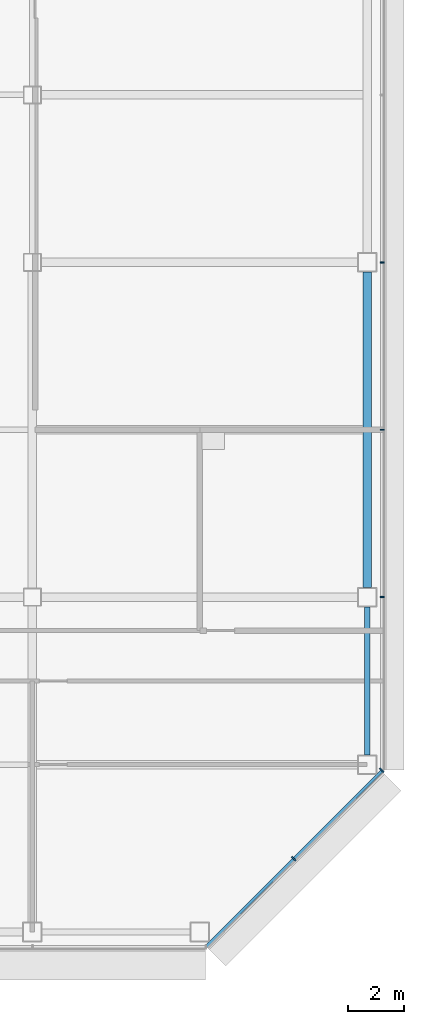
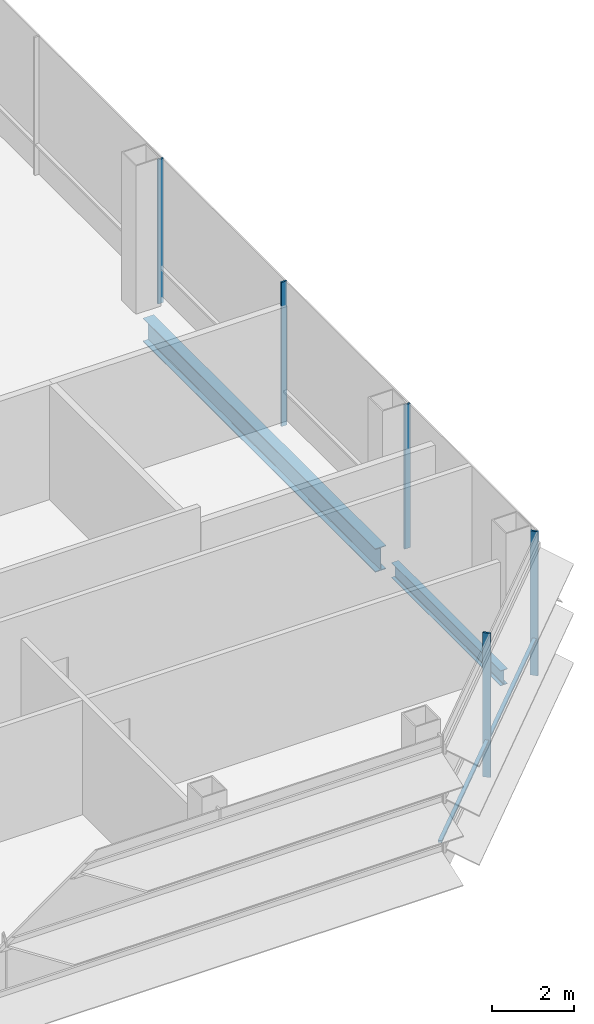
# One storey, part 15 of 26: 6 members, 2 beams, 2 elements without a shape of their own.
"""IFC4 building model written with IfcOpenShell, lengths in metres."""

from ifc_helpers import new_model, si_unit, direction, frame, origin, origin_2d, place, context, subcontext, project, spatial, rectangle, i_section, extrude, material, material_profile, profile_set, type_object, element, aggregate, save


model = new_model("IFC4")

# Units and contexts
model_context = context("Model", 3, precision=1e-05, world=origin(), true_north=direction((0.0, 1.0)))
body_context = subcontext(model_context, "Body", "Model", "MODEL_VIEW")
ifc_project = project(units=[si_unit("LENGTHUNIT", "METRE"), si_unit("AREAUNIT", "SQUARE_METRE"), si_unit("VOLUMEUNIT", "CUBIC_METRE"), si_unit("PLANEANGLEUNIT", "RADIAN"), si_unit("MASSUNIT", "GRAM", prefix="KILO")], contexts=[model_context])

# Site, building, storey
site_placement = place(None, origin())
site = spatial("IfcSite", under=ifc_project, at=site_placement, CompositionType="ELEMENT")
building_placement = place(site_placement, origin())
building = spatial("IfcBuilding", under=site, at=building_placement, Name="Sorahane Residences", CompositionType="ELEMENT")
storey_placement = place(building_placement, frame((0.0, 0.0, 181.60009765625)))
storey = spatial("IfcBuildingStorey", under=building, at=storey_placement, Name="L42", CompositionType="ELEMENT", Elevation=181.60009765625)

# Curtain wall, members
ifc_material_1 = material(Name="Dark low-e glass and black anodised aluminium", Category="aluminium")
curtain_wall_type_1 = type_object("IfcCurtainWallType", Name="Curtain wall CW-1 Typical unitised wall", PredefinedType="NOTDEFINED", material=ifc_material_1)
curtain_wall_1_placement = place(storey_placement, origin())
curtain_wall_1 = element("IfcCurtainWall", 1, at=curtain_wall_1_placement, inside=storey, type_object=curtain_wall_type_1, Name="CW-1 curtain wall L42 E1", PredefinedType="NOTDEFINED")
ifc_material_2 = material(Name="Black anodised aluminium", Category="aluminium")
ifc_material_profile_1 = material_profile(ifc_material_2, rectangle(XDim=0.159912109375, YDim=0.050048828125, at=origin_2d()), Name="Curtain wall mullion CW-1 black anodised aluminium 50x160")
ifc_profile_set_1 = profile_set([ifc_material_profile_1], Name="Black anodised aluminium")
member_type_1 = type_object("IfcMemberType", Name="Curtain wall mullion CW-1 black anodised aluminium 50x160", PredefinedType="MULLION", material=ifc_profile_set_1)
member_1_placement = place(storey_placement, frame((60.5400390625, 12.0, -0.18017578125), z_axis=(0.0, 0.0, 1.0), x_axis=(1.0, 0.0, 0.0)))
member_1 = element("IfcMember", 2, at=member_1_placement, type_object=member_type_1, Name="CW-1 mullion L42 E1.2", PredefinedType="MULLION", context=body_context, shape_type="SweptSolid", body=[
    extrude(rectangle(XDim=0.159912109375, YDim=0.050048828125, at=origin_2d()), origin(), (0.0, 0.0, 1.0), 4.280029296875),
])
member_2_placement = place(storey_placement, frame((60.5400390625, 18.0, -0.18017578125), z_axis=(0.0, 0.0, 1.0), x_axis=(1.0, 0.0, 0.0)))
member_2 = element("IfcMember", 3, at=member_2_placement, type_object=member_type_1, Name="CW-1 mullion L42 E1.3", PredefinedType="MULLION", context=body_context, shape_type="SweptSolid", body=[
    extrude(rectangle(XDim=0.159912109375, YDim=0.050048828125, at=origin_2d()), origin(), (0.0, 0.0, 1.0), 4.280029296875),
])
member_3_placement = place(storey_placement, frame((60.5400390625, 24.0, -0.18017578125), z_axis=(0.0, 0.0, 1.0), x_axis=(1.0, 0.0, 0.0)))
member_3 = element("IfcMember", 4, at=member_3_placement, type_object=member_type_1, Name="CW-1 mullion L42 E1.4", PredefinedType="MULLION", context=body_context, shape_type="SweptSolid", body=[
    extrude(rectangle(XDim=0.159912109375, YDim=0.050048828125, at=origin_2d()), origin(), (0.0, 0.0, 1.0), 4.280029296875),
])
aggregate(curtain_wall_1, [member_1, member_2, member_3])

ifc_material_3 = material(Name="Dark low-e glass and black anodised aluminium", Category="aluminium")
curtain_wall_type_2 = type_object("IfcCurtainWallType", Name="Curtain wall CW-2 Chamfer unitised wall", PredefinedType="NOTDEFINED", material=ifc_material_3)
curtain_wall_2_placement = place(storey_placement, origin())
curtain_wall_2 = element("IfcCurtainWall", 5, at=curtain_wall_2_placement, inside=storey, type_object=curtain_wall_type_2, Name="CW-2 curtain wall L42 SE1", PredefinedType="NOTDEFINED")
ifc_material_4 = material(Name="Black anodised aluminium", Category="aluminium")
ifc_material_profile_2 = material_profile(ifc_material_4, rectangle(XDim=0.199951171875, YDim=0.050048828125, at=origin_2d()), Name="Curtain wall mullion CW-2 black anodised aluminium 50x200")
ifc_profile_set_2 = profile_set([ifc_material_profile_2], Name="Black anodised aluminium")
member_type_2 = type_object("IfcMemberType", Name="Curtain wall mullion CW-2 black anodised aluminium 50x200", PredefinedType="MULLION", material=ifc_profile_set_2)
member_4_placement = place(storey_placement, frame((57.36767578125, 2.63232421875, -0.18017578125), z_axis=(0.0, 0.0, 1.0), x_axis=(0.707106781187, -0.707106781187, 0.0)))
member_4 = element("IfcMember", 6, at=member_4_placement, type_object=member_type_2, Name="CW-2 mullion L42 SE1.2", PredefinedType="MULLION", context=body_context, shape_type="SweptSolid", body=[
    extrude(rectangle(XDim=0.199951171875, YDim=0.050048828125, at=origin_2d()), origin(), (0.0, 0.0, 1.0), 4.280029296875),
])
member_5_placement = place(storey_placement, frame((60.525634765625, 5.790283203125, -0.18017578125), z_axis=(0.0, 0.0, 1.0), x_axis=(0.707106781187, -0.707106781187, 0.0)))
member_5 = element("IfcMember", 7, at=member_5_placement, type_object=member_type_2, Name="CW-2 mullion L42 SE1.3", PredefinedType="MULLION", context=body_context, shape_type="SweptSolid", body=[
    extrude(rectangle(XDim=0.199951171875, YDim=0.050048828125, at=origin_2d()), origin(), (0.0, 0.0, 1.0), 4.280029296875),
])
ifc_material_5 = material(Name="Black anodised aluminium", Category="aluminium")
ifc_material_profile_3 = material_profile(ifc_material_5, rectangle(XDim=0.10009765625, YDim=0.06005859375, at=origin_2d()), Name="Curtain wall transom CW-2 black anodised aluminium 60x100")
ifc_profile_set_3 = profile_set([ifc_material_profile_3], Name="Black anodised aluminium")
member_type_3 = type_object("IfcMemberType", Name="Curtain wall transom CW-2 black anodised aluminium 60x100", PredefinedType="USERDEFINED", material=ifc_profile_set_3)
member_6_placement = place(storey_placement, frame((54.234375, -0.51513671875, 0.89990234375), z_axis=(0.707106781187, 0.707106781187, 0.0), x_axis=(-0.707106781187, 0.707106781187, 0.0)))
member_6 = element("IfcMember", 8, at=member_6_placement, type_object=member_type_3, Name="CW-2 transom L42 SE1", ObjectType="TRANSOM", PredefinedType="USERDEFINED", context=body_context, shape_type="SweptSolid", body=[
    extrude(rectangle(XDim=0.10009765625, YDim=0.06005859375, at=origin_2d()), origin(), (0.0, 0.0, 1.0), 8.88232421875),
])
aggregate(curtain_wall_2, [member_4, member_5, member_6])

# Beams
ifc_material_6 = material(Name="Steel Q355B", Category="steel")
ifc_material_profile_4 = material_profile(ifc_material_6, i_section(OverallWidth=0.199951171875, OverallDepth=0.449951171875, WebThickness=0.009033203125, FlangeThickness=0.013916015625, FilletRadius=0.02001953125, at=origin_2d()), Name="HN 450x200x9x14")
ifc_profile_set_4 = profile_set([ifc_material_profile_4], Name="Steel Q355B")
beam_type_1 = type_object("IfcBeamType", Name="Steel floor beam HN 450x200x9x14 Q355B", PredefinedType="BEAM", material=ifc_profile_set_4)
beam_1_placement = place(storey_placement, frame((60.0, 6.35009765625, -0.405029296875), z_axis=(0.0, 1.0, 0.0), x_axis=(-1.0, 0.0, 0.0)))
element("IfcBeam", 9, at=beam_1_placement, inside=storey, type_object=beam_type_1, Name="Beam L42 064", PredefinedType="BEAM", context=body_context, shape_type="SweptSolid", body=[
    extrude(i_section(OverallWidth=0.199951171875, OverallDepth=0.449951171875, WebThickness=0.009033203125, FlangeThickness=0.013916015625, FilletRadius=0.02001953125, at=origin_2d()), origin(), (0.0, 0.0, 1.0), 5.2998046875),
])
ifc_material_7 = material(Name="Steel Q355B", Category="steel")
ifc_material_profile_5 = material_profile(ifc_material_7, i_section(OverallWidth=0.300048828125, OverallDepth=0.699951171875, WebThickness=0.012939453125, FlangeThickness=0.02392578125, FilletRadius=0.028076171875, at=origin_2d()), Name="HN 700x300x13x24")
ifc_profile_set_5 = profile_set([ifc_material_profile_5], Name="Steel Q355B")
beam_type_2 = type_object("IfcBeamType", Name="Steel floor beam HN 700x300x13x24 Q355B", PredefinedType="BEAM", material=ifc_profile_set_5)
beam_2_placement = place(storey_placement, frame((60.0, 12.35009765625, -0.530029296875), z_axis=(0.0, 1.0, 0.0), x_axis=(-1.0, 0.0, 0.0)))
element("IfcBeam", 10, at=beam_2_placement, inside=storey, type_object=beam_type_2, Name="Beam L42 065", PredefinedType="BEAM", context=body_context, shape_type="SweptSolid", body=[
    extrude(i_section(OverallWidth=0.300048828125, OverallDepth=0.699951171875, WebThickness=0.012939453125, FlangeThickness=0.02392578125, FilletRadius=0.028076171875, at=origin_2d()), origin(), (0.0, 0.0, 1.0), 11.2998046875),
])

save(model, "model.ifc")
